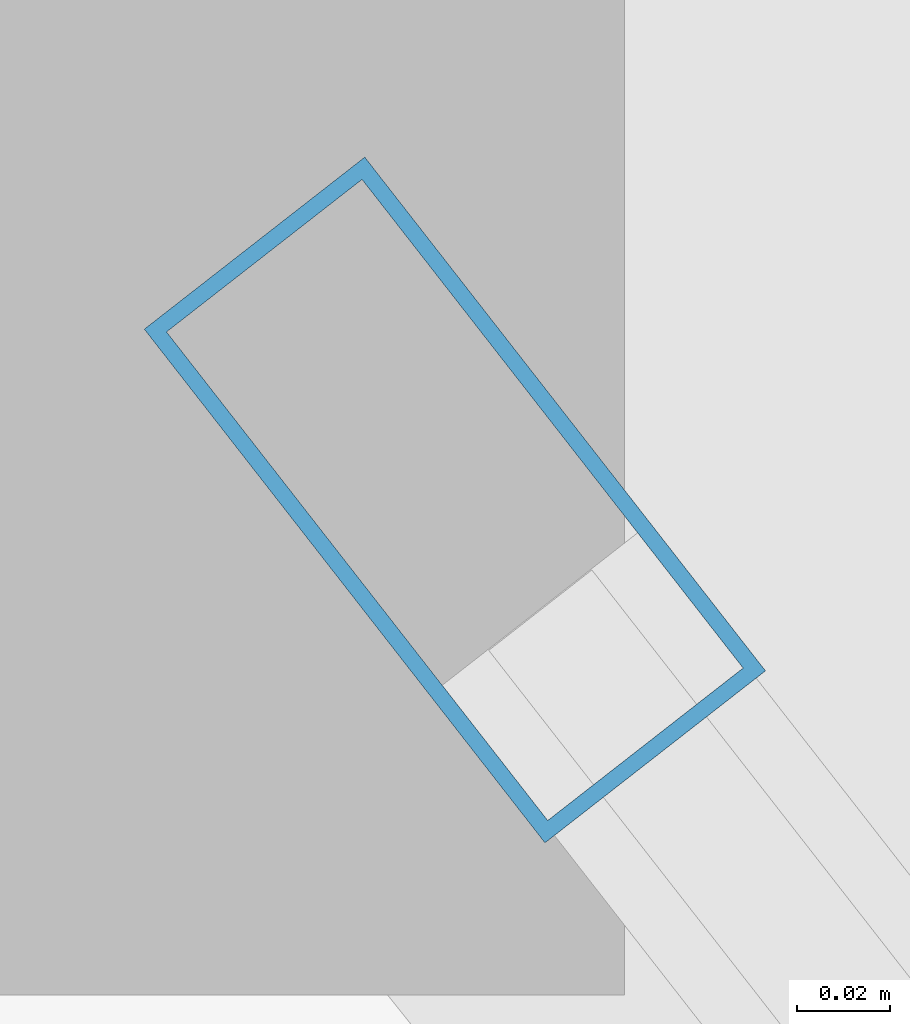
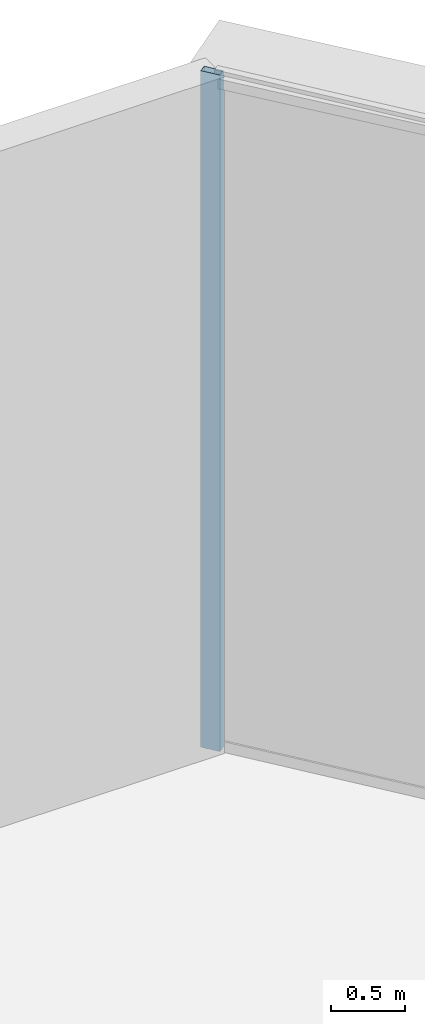
# One storey, part 26 of 38: 1 member, 1 element without a shape of its own.
"""IFC4 building model written with IfcOpenShell, lengths in metres."""

from ifc_helpers import new_model, si_unit, direction, frame, origin, origin_2d, place, context, subcontext, project, spatial, hollow_rectangle, extrude, source, transform, mapped, material, layer, layer_set, material_profile, profile_set, type_object, element, aggregate, save


model = new_model("IFC4")

# Units and contexts
model_context = context("Model", 3, precision=1e-05, world=origin(), true_north=direction((0.0, 1.0)))
body_context = subcontext(model_context, "Body", "Model", "MODEL_VIEW")
ifc_project = project(units=[si_unit("LENGTHUNIT", "METRE"), si_unit("AREAUNIT", "SQUARE_METRE"), si_unit("VOLUMEUNIT", "CUBIC_METRE"), si_unit("PLANEANGLEUNIT", "RADIAN"), si_unit("MASSUNIT", "GRAM", prefix="KILO"), si_unit("THERMODYNAMICTEMPERATUREUNIT", "KELVIN"), si_unit("POWERUNIT", "WATT")], contexts=[model_context])

# Site, building, storey
site_placement = place(None, origin())
site = spatial("IfcSite", under=ifc_project, at=site_placement, CompositionType="ELEMENT")
building_placement = place(site_placement, origin())
building = spatial("IfcBuilding", under=site, at=building_placement, Name="Yunzhuo Pagoda Commons", CompositionType="ELEMENT")
storey_placement = place(building_placement, frame((0.0, 0.0, 266.909912109375)))
storey = spatial("IfcBuildingStorey", under=building, at=storey_placement, Name="L67", CompositionType="ELEMENT", Elevation=266.909912109375)

# Curtain wall, member
ifc_material = material(Name="Anodized aluminium 6063-T6", Category="aluminium")
ifc_layer = layer(ifc_material, 0.139892578125)
ifc_layer_set = layer_set([ifc_layer], Name="Anodized aluminium 6063-T6")
curtain_wall_type = type_object("IfcCurtainWallType", Name="CW-HI High-Zone Ribbon Curtain Wall", PredefinedType="NOTDEFINED", material=ifc_layer_set)
curtain_wall_placement = place(storey_placement, origin())
curtain_wall = element("IfcCurtainWall", 1, at=curtain_wall_placement, inside=storey, type_object=curtain_wall_type, Name="L67 curtain wall CW-L67-F2B5", PredefinedType="NOTDEFINED")
ifc_material_profile = material_profile(ifc_material, hollow_rectangle(XDim=0.06005859375, YDim=0.139892578125, WallThickness=0.00341796875, at=origin_2d()), Name="Anodized aluminium 6063-T6")
ifc_profile_set = profile_set([ifc_material_profile], Name="Anodized aluminium 6063-T6")
member_type = type_object("IfcMemberType", Name="CW-HI-M Mullion RHS 140x60x3.5", PredefinedType="MULLION", material=ifc_profile_set)
shared_shape = source(origin(), body_context, "Body", "SweptSolid", [
    extrude(hollow_rectangle(XDim=0.06005859375, YDim=0.139892578125, WallThickness=0.00341796875, at=origin_2d()), origin(), (0.0, 0.0, 1.0), 5.5703125),
])
member_placement = place(storey_placement, frame((51.69287109375, 77.771240234375, 0.0), z_axis=(0.0, 0.0, 1.0), x_axis=(-0.788480008462, -0.615060384235, 0.0)))
member = element("IfcMember", 2, at=member_placement, type_object=member_type, Name="CW mullion 2", PredefinedType="MULLION", context=body_context, shape_type="MappedRepresentation", body=[
    mapped(shared_shape, transform((0.0, 0.0, 0.0), scale=1.0)),
])
aggregate(curtain_wall, [member])

save(model, "model.ifc")
